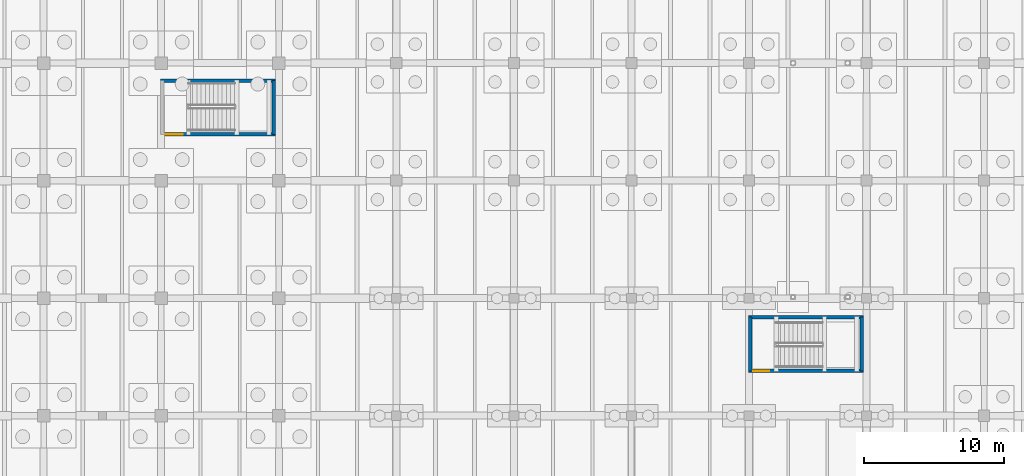
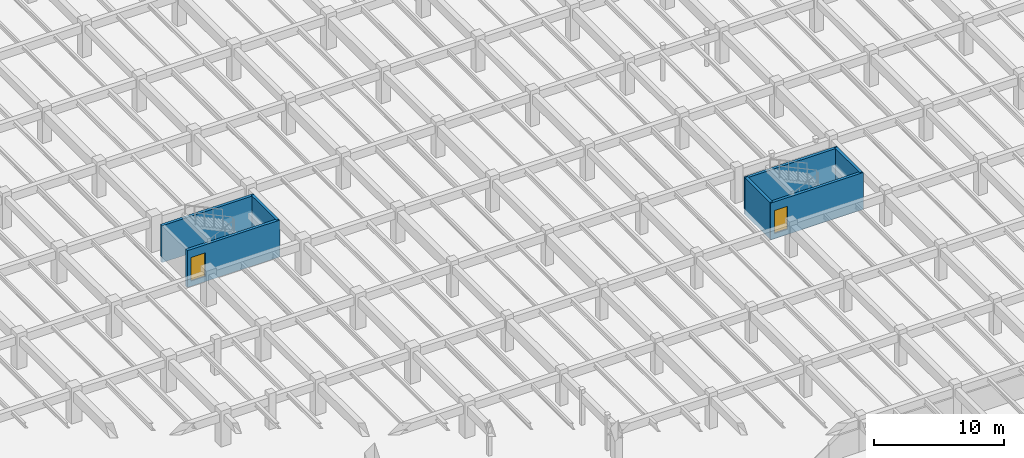
# One storey, part 45 of 70: 7 walls, 2 doors, 2 openings.
"""IFC4 building model written with IfcOpenShell, lengths in metres."""

from ifc_helpers import new_model, si_unit, direction, frame, frame_2d, origin, place, context, subcontext, project, spatial, rectangle, extrude, material, layer, layer_set, type_object, element, fill, save


model = new_model("IFC4")

# Units and contexts
model_context = context("Model", 3, precision=1e-05, world=origin(), true_north=direction((0.0, 1.0)))
body_context = subcontext(model_context, "Body", "Model", "MODEL_VIEW")
ifc_project = project(units=[si_unit("LENGTHUNIT", "METRE"), si_unit("AREAUNIT", "SQUARE_METRE"), si_unit("VOLUMEUNIT", "CUBIC_METRE"), si_unit("PLANEANGLEUNIT", "RADIAN"), si_unit("MASSUNIT", "GRAM", prefix="KILO")], contexts=[model_context])

# Site, building, storey
site_placement = place(None, origin())
site = spatial("IfcSite", under=ifc_project, at=site_placement, CompositionType="ELEMENT")
building_placement = place(site_placement, origin())
building = spatial("IfcBuilding", under=site, at=building_placement, Name="Cumbredor Promenade Congress Hotel", CompositionType="ELEMENT")
storey_placement = place(building_placement, frame((0.0, 0.0, -7.56005859375)))
storey = spatial("IfcBuildingStorey", under=building, at=storey_placement, Name="B02", CompositionType="ELEMENT", Elevation=-7.56005859375)

# Wall, opening, door
ifc_material_1 = material(Name="Concrete C40/50", Category="concrete")
ifc_layer = layer(ifc_material_1, 0.2548828125, Name="Concrete C40/50", Category="concrete")
ifc_layer_set = layer_set([ifc_layer], Name="Concrete C40/50")
wall_type = type_object("IfcWallType", Name="WL-SHAFT-250", PredefinedType="SOLIDWALL", material=ifc_layer_set)
wall_1_placement = place(storey_placement, frame((58.75244140625, 62.10009765625, -0.5), z_axis=(0.0, 0.0, 1.0), x_axis=(1.0, 0.0, 0.0)))
wall_1 = element("IfcWall", 1, at=wall_1_placement, inside=storey, type_object=wall_type, Name="STAIR-ST-07-B02 Shaft Wall South", PredefinedType="SOLIDWALL", context=body_context, shape_type="SweptSolid", body=[
    extrude(rectangle(XDim=8.22509765625, YDim=0.2548828125, at=frame_2d((4.112548828125, 0.0))), origin(), (0.0, 0.0, 1.0), 3.4599609375),
])
opening_1_placement = place(wall_1_placement, frame((0.35009765625, 0.0, 0.5)))
opening_1 = element("IfcOpeningElement", 2, at=opening_1_placement, cuts=wall_1, Name="Opening SD-02", PredefinedType="OPENING", context=body_context, shape_type="SweptSolid", body=[
    extrude(rectangle(XDim=1.25, YDim=2.199951171875, at=frame_2d((0.625, 1.10009765625))), frame((0.0, 0.137451171875, 0.0), z_axis=(0.0, -1.0, 0.0), x_axis=(1.0, 0.0, 0.0)), (0.0, 0.0, 1.0), 0.27490234375),
])
ifc_material_2 = material(Name="Painted galvanized steel fire door", Category="steel")
door_type_1 = type_object("IfcDoorType", Name="DR-STAIR-FD90-1250", OperationType="NOTDEFINED", PredefinedType="DOOR", material=ifc_material_2)
door_1_placement = place(opening_1_placement, origin())
door_1 = element("IfcDoor", 3, at=door_1_placement, inside=storey, type_object=door_type_1, Name="B02 Protected Exit Stair ST-07 Door", OperationType="SINGLE_SWING_LEFT", OverallHeight=2.199951171875, OverallWidth=1.25, PredefinedType="DOOR", context=body_context, shape_type="SweptSolid", body=[
    extrude(rectangle(XDim=1.25, YDim=2.199951171875, at=frame_2d((0.625, 1.10009765625))), frame((0.0, 0.02490234375, 0.0), z_axis=(0.0, -1.0, 0.0), x_axis=(1.0, 0.0, 0.0)), (0.0, 0.0, 1.0), 0.050048828125),
])
fill(opening_1, door_1)

# Walls
wall_2_placement = place(storey_placement, frame((58.75244140625, 65.949951171875, -0.5), z_axis=(0.0, 0.0, 1.0), x_axis=(1.0, 0.0, 0.0)))
element("IfcWall", 4, at=wall_2_placement, inside=storey, type_object=wall_type, Name="STAIR-ST-07-B02 Shaft Wall North", PredefinedType="SOLIDWALL", context=body_context, shape_type="SweptSolid", body=[
    extrude(rectangle(XDim=8.22509765625, YDim=0.2548828125, at=frame_2d((4.112548828125, 0.0))), origin(), (0.0, 0.0, 1.0), 3.4599609375),
])
wall_3_placement = place(storey_placement, frame((66.85009765625, 62.10009765625, -0.5), z_axis=(0.0, 0.0, 1.0), x_axis=(0.0, 1.0, 0.0)))
element("IfcWall", 5, at=wall_3_placement, inside=storey, type_object=wall_type, Name="STAIR-ST-07-B02 Shaft Wall East", PredefinedType="SOLIDWALL", context=body_context, shape_type="SweptSolid", body=[
    extrude(rectangle(XDim=3.849853515625, YDim=0.2548828125, at=frame_2d((1.9248046875, 0.0))), origin(), (0.0, 0.0, 1.0), 3.4599609375),
])

# Wall, opening, door
wall_4_placement = place(storey_placement, frame((100.75244140625, 45.199951171875, -0.5), z_axis=(0.0, 0.0, 1.0), x_axis=(1.0, 0.0, 0.0)))
wall_4 = element("IfcWall", 6, at=wall_4_placement, inside=storey, type_object=wall_type, Name="STAIR-ST-12-B02 Shaft Wall South", PredefinedType="SOLIDWALL", context=body_context, shape_type="SweptSolid", body=[
    extrude(rectangle(XDim=8.22509765625, YDim=0.2548828125, at=frame_2d((4.112548828125, 0.0))), origin(), (0.0, 0.0, 1.0), 3.4599609375),
])
opening_2_placement = place(wall_4_placement, frame((0.35009765625, 0.0, 0.5)))
opening_2 = element("IfcOpeningElement", 7, at=opening_2_placement, cuts=wall_4, Name="Opening SD-01", PredefinedType="OPENING", context=body_context, shape_type="SweptSolid", body=[
    extrude(rectangle(XDim=1.159912109375, YDim=2.14990234375, at=frame_2d((0.580078125, 1.074951171875))), frame((0.0, 0.137451171875, 0.0), z_axis=(0.0, -1.0, 0.0), x_axis=(1.0, 0.0, 0.0)), (0.0, 0.0, 1.0), 0.27490234375),
])
door_type_2 = type_object("IfcDoorType", Name="DR-STAIR-FD90-1150", OperationType="NOTDEFINED", PredefinedType="DOOR", material=ifc_material_2)
door_2_placement = place(opening_2_placement, origin())
door_2 = element("IfcDoor", 8, at=door_2_placement, inside=storey, type_object=door_type_2, Name="B02 Protected Exit Stair ST-12 Door", OperationType="SINGLE_SWING_RIGHT", OverallHeight=2.14990234375, OverallWidth=1.159912109375, PredefinedType="DOOR", context=body_context, shape_type="SweptSolid", body=[
    extrude(rectangle(XDim=1.159912109375, YDim=2.14990234375, at=frame_2d((0.580078125, 1.074951171875))), frame((0.0, 0.02490234375, 0.0), z_axis=(0.0, -1.0, 0.0), x_axis=(1.0, 0.0, 0.0)), (0.0, 0.0, 1.0), 0.050048828125),
])
fill(opening_2, door_2)

# Walls
wall_5_placement = place(storey_placement, frame((100.75244140625, 49.050048828125, -0.5), z_axis=(0.0, 0.0, 1.0), x_axis=(1.0, 0.0, 0.0)))
element("IfcWall", 9, at=wall_5_placement, inside=storey, type_object=wall_type, Name="STAIR-ST-12-B02 Shaft Wall North", PredefinedType="SOLIDWALL", context=body_context, shape_type="SweptSolid", body=[
    extrude(rectangle(XDim=8.22509765625, YDim=0.2548828125, at=frame_2d((4.112548828125, 0.0))), origin(), (0.0, 0.0, 1.0), 3.4599609375),
])
for number, where, z_axis, x_axis, name in (
    (10, (100.8798828125, 45.199951171875, -0.5), (0.0, 0.0, 1.0), (0.0, 1.0, 0.0), "STAIR-ST-12-B02 Shaft Wall West"),
    (11, (108.85009765625, 45.199951171875, -0.5), (0.0, 0.0, 1.0), (0.0, 1.0, 0.0), "STAIR-ST-12-B02 Shaft Wall East"),
):
    element("IfcWall", number, at=place(storey_placement, frame(where, z_axis=z_axis, x_axis=x_axis)), inside=storey, type_object=wall_type, Name=name, PredefinedType="SOLIDWALL", context=body_context, shape_type="SweptSolid", body=[
        extrude(rectangle(XDim=3.85009765625, YDim=0.2548828125, at=frame_2d((1.925048828125, 0.0))), origin(), (0.0, 0.0, 1.0), 3.4599609375),
    ])

save(model, "model.ifc")
